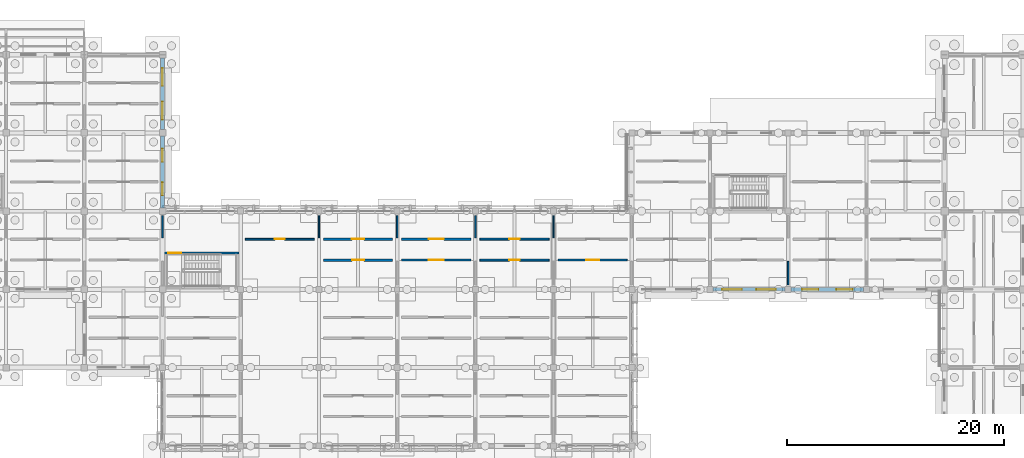
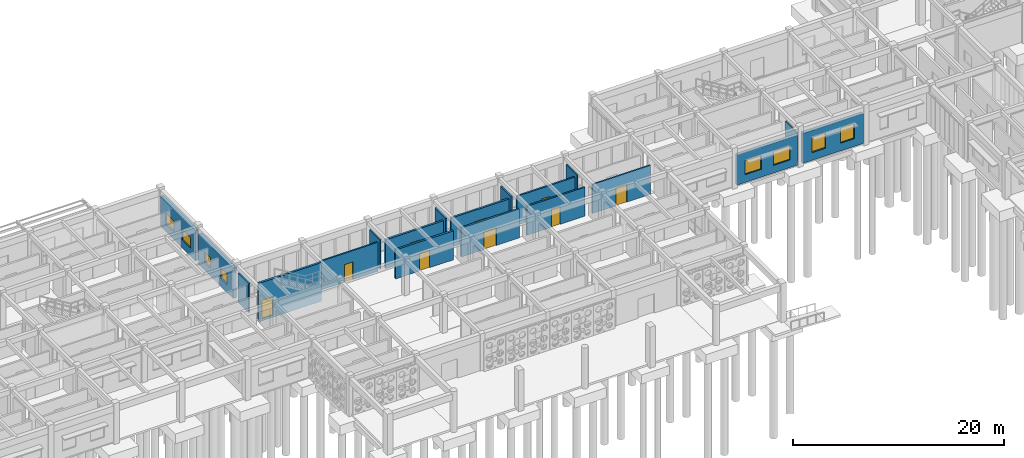
# One storey, part 74 of 111: 19 walls, 9 doors, 8 windows, 17 openings.
"""IFC4 building model written with IfcOpenShell, lengths in metres."""

from ifc_helpers import new_model, si_unit, direction, frame, frame_2d, origin, place, context, subcontext, project, spatial, rectangle, extrude, material, layer, layer_set, type_object, element, fill, save


model = new_model("IFC4")

# Units and contexts
model_context = context("Model", 3, precision=1e-05, world=origin(), true_north=direction((0.0, 1.0)))
body_context = subcontext(model_context, "Body", "Model", "MODEL_VIEW")
ifc_project = project(units=[si_unit("LENGTHUNIT", "METRE"), si_unit("AREAUNIT", "SQUARE_METRE"), si_unit("VOLUMEUNIT", "CUBIC_METRE"), si_unit("PLANEANGLEUNIT", "RADIAN"), si_unit("MASSUNIT", "GRAM", prefix="KILO")], contexts=[model_context])

# Site, building, storey
site_placement = place(None, origin())
site = spatial("IfcSite", under=ifc_project, at=site_placement, CompositionType="ELEMENT")
building_placement = place(site_placement, origin())
building = spatial("IfcBuilding", under=site, at=building_placement, Name="Aldebral Square Health Centre", CompositionType="ELEMENT")
storey_placement = place(building_placement, origin())
storey = spatial("IfcBuildingStorey", under=building, at=storey_placement, Name="L00", CompositionType="ELEMENT", Elevation=0.0)

# Wall, openings, windows
ifc_material_1 = material(Name="Cream cantera stone and concrete wall C35/45", Category="masonry")
ifc_layer_1 = layer(ifc_material_1, 0.340087890625, Name="Cream cantera stone and concrete wall C35/45", Category="masonry")
ifc_layer_set_1 = layer_set([ifc_layer_1], Name="Cream cantera stone and concrete wall C35/45")
wall_type_1 = type_object("IfcWallType", Name="EW-CAN-340", PredefinedType="SOLIDWALL", material=ifc_layer_set_1)
wall_1_placement = place(storey_placement, frame((64.800048828125, 108.300048828125, 0.0), z_axis=(0.0, 0.0, 1.0), x_axis=(0.0, 1.0, 0.0)))
wall_1 = element("IfcWall", 1, at=wall_1_placement, inside=storey, type_object=wall_type_1, Name="L00 V2 exterior wall L00-V2-08-15-E", PredefinedType="SOLIDWALL", context=body_context, shape_type="SweptSolid", body=[
    extrude(rectangle(XDim=6.599853515625, YDim=0.340087890625, at=frame_2d((3.2998046875, 0.0))), origin(), (0.0, 0.0, 1.0), 3.52001953125),
])
opening_1_placement = place(wall_1_placement, frame((0.925048828125, 0.0, 0.89990234375)))
opening_1 = element("IfcOpeningElement", 2, at=opening_1_placement, cuts=wall_1, Name="Opening W06", PredefinedType="OPENING", context=body_context, shape_type="SweptSolid", body=[
    extrude(rectangle(XDim=1.64990234375, YDim=1.25, at=frame_2d((0.824951171875, 0.625))), frame((0.0, 0.18017578125, 0.0), z_axis=(0.0, -1.0, 0.0), x_axis=(1.0, 0.0, 0.0)), (0.0, 0.0, 1.0), 0.360107421875),
])
opening_2_placement = place(wall_1_placement, frame((4.02490234375, 0.0, 0.89990234375)))
opening_2 = element("IfcOpeningElement", 3, at=opening_2_placement, cuts=wall_1, Name="Opening W06", PredefinedType="OPENING", context=body_context, shape_type="SweptSolid", body=[
    extrude(rectangle(XDim=1.64990234375, YDim=1.25, at=frame_2d((0.824951171875, 0.625))), frame((0.0, 0.18017578125, 0.0), z_axis=(0.0, -1.0, 0.0), x_axis=(1.0, 0.0, 0.0)), (0.0, 0.0, 1.0), 0.360107421875),
])
ifc_material_2 = material(Name="Thermally broken aluminium and low-E glass", Category="aluminium")
window_type_1 = type_object("IfcWindowType", Name="WIN-W06", PartitioningType="SINGLE_PANEL", PredefinedType="WINDOW", material=ifc_material_2)
window_1_placement = place(opening_1_placement, origin())
window_1 = element("IfcWindow", 4, at=window_1_placement, inside=storey, type_object=window_type_1, Name="L00 clinical window L00-V2-08-15-E.1", OverallHeight=1.25, OverallWidth=1.64990234375, PartitioningType="SINGLE_PANEL", PredefinedType="WINDOW", context=body_context, shape_type="SweptSolid", body=[
    extrude(rectangle(XDim=1.64990234375, YDim=1.25, at=frame_2d((0.824951171875, 0.625))), frame((0.0, 0.030029296875, 0.0), z_axis=(0.0, -1.0, 0.0), x_axis=(1.0, 0.0, 0.0)), (0.0, 0.0, 1.0), 0.06005859375),
])
fill(opening_1, window_1)
window_2_placement = place(opening_2_placement, origin())
window_2 = element("IfcWindow", 5, at=window_2_placement, inside=storey, type_object=window_type_1, Name="L00 clinical window L00-V2-08-15-E.2", OverallHeight=1.25, OverallWidth=1.64990234375, PartitioningType="SINGLE_PANEL", PredefinedType="WINDOW", context=body_context, shape_type="SweptSolid", body=[
    extrude(rectangle(XDim=1.64990234375, YDim=1.25, at=frame_2d((0.824951171875, 0.625))), frame((0.0, 0.030029296875, 0.0), z_axis=(0.0, -1.0, 0.0), x_axis=(1.0, 0.0, 0.0)), (0.0, 0.0, 1.0), 0.06005859375),
])
fill(opening_2, window_2)

wall_2_placement = place(storey_placement, frame((115.47509765625, 93.60009765625, 0.0), z_axis=(0.0, 0.0, 1.0), x_axis=(1.0, 0.0, 0.0)))
wall_2 = element("IfcWall", 6, at=wall_2_placement, inside=storey, type_object=wall_type_1, Name="L00 V5 exterior wall L00-V5-16-13-S", PredefinedType="SOLIDWALL", context=body_context, shape_type="SweptSolid", body=[
    extrude(rectangle(XDim=6.64990234375, YDim=0.340087890625, at=frame_2d((3.324951171875, 0.0))), origin(), (0.0, 0.0, 1.0), 3.469970703125),
])
opening_3_placement = place(wall_2_placement, frame((0.85009765625, 0.0, 0.89990234375)))
opening_3 = element("IfcOpeningElement", 7, at=opening_3_placement, cuts=wall_2, Name="Opening W34", PredefinedType="OPENING", context=body_context, shape_type="SweptSolid", body=[
    extrude(rectangle(XDim=1.800048828125, YDim=1.6201171875, at=frame_2d((0.89990234375, 0.81005859375))), frame((0.0, 0.18017578125, 0.0), z_axis=(0.0, -1.0, 0.0), x_axis=(1.0, 0.0, 0.0)), (0.0, 0.0, 1.0), 0.360107421875),
])
opening_4_placement = place(wall_2_placement, frame((4.0, 0.0, 0.89990234375)))
opening_4 = element("IfcOpeningElement", 8, at=opening_4_placement, cuts=wall_2, Name="Opening W34", PredefinedType="OPENING", context=body_context, shape_type="SweptSolid", body=[
    extrude(rectangle(XDim=1.800048828125, YDim=1.6201171875, at=frame_2d((0.89990234375, 0.81005859375))), frame((0.0, 0.18017578125, 0.0), z_axis=(0.0, -1.0, 0.0), x_axis=(1.0, 0.0, 0.0)), (0.0, 0.0, 1.0), 0.360107421875),
])
window_type_2 = type_object("IfcWindowType", Name="WIN-W34", PartitioningType="SINGLE_PANEL", PredefinedType="WINDOW", material=ifc_material_2)
window_3_placement = place(opening_3_placement, origin())
window_3 = element("IfcWindow", 9, at=window_3_placement, inside=storey, type_object=window_type_2, Name="L00 clinical window L00-V5-16-13-S.1", OverallHeight=1.6201171875, OverallWidth=1.800048828125, PartitioningType="SINGLE_PANEL", PredefinedType="WINDOW", context=body_context, shape_type="SweptSolid", body=[
    extrude(rectangle(XDim=1.800048828125, YDim=1.6201171875, at=frame_2d((0.89990234375, 0.81005859375))), frame((0.0, 0.030029296875, 0.0), z_axis=(0.0, -1.0, 0.0), x_axis=(1.0, 0.0, 0.0)), (0.0, 0.0, 1.0), 0.06005859375),
])
fill(opening_3, window_3)
window_4_placement = place(opening_4_placement, origin())
window_4 = element("IfcWindow", 10, at=window_4_placement, inside=storey, type_object=window_type_2, Name="L00 clinical window L00-V5-16-13-S.2", OverallHeight=1.6201171875, OverallWidth=1.800048828125, PartitioningType="SINGLE_PANEL", PredefinedType="WINDOW", context=body_context, shape_type="SweptSolid", body=[
    extrude(rectangle(XDim=1.800048828125, YDim=1.6201171875, at=frame_2d((0.89990234375, 0.81005859375))), frame((0.0, 0.030029296875, 0.0), z_axis=(0.0, -1.0, 0.0), x_axis=(1.0, 0.0, 0.0)), (0.0, 0.0, 1.0), 0.06005859375),
])
fill(opening_4, window_4)

ifc_layer_2 = layer(ifc_material_1, 0.360107421875, Name="Cream cantera stone and concrete wall C35/45", Category="masonry")
ifc_layer_set_2 = layer_set([ifc_layer_2], Name="Cream cantera stone and concrete wall C35/45")
wall_type_2 = type_object("IfcWallType", Name="EW-CAN-360", PredefinedType="SOLIDWALL", material=ifc_layer_set_2)
wall_3_placement = place(storey_placement, frame((64.800048828125, 101.10009765625, 0.0), z_axis=(0.0, 0.0, 1.0), x_axis=(0.0, 1.0, 0.0)))
wall_3 = element("IfcWall", 11, at=wall_3_placement, inside=storey, type_object=wall_type_2, Name="L00 V2 exterior wall L00-V2-08-14-E", PredefinedType="SOLIDWALL", context=body_context, shape_type="SweptSolid", body=[
    extrude(rectangle(XDim=6.599853515625, YDim=0.360107421875, at=frame_2d((3.2998046875, 0.0))), origin(), (0.0, 0.0, 1.0), 3.52001953125),
])
opening_5_placement = place(wall_3_placement, frame((1.14990234375, 0.0, 0.89990234375)))
opening_5 = element("IfcOpeningElement", 12, at=opening_5_placement, cuts=wall_3, Name="Opening W03", PredefinedType="OPENING", context=body_context, shape_type="SweptSolid", body=[
    extrude(rectangle(XDim=1.199951171875, YDim=1.25, at=frame_2d((0.60009765625, 0.625))), frame((0.0, 0.18994140625, 0.0), z_axis=(0.0, -1.0, 0.0), x_axis=(1.0, 0.0, 0.0)), (0.0, 0.0, 1.0), 0.380126953125),
])
opening_6_placement = place(wall_3_placement, frame((4.25, 0.0, 0.89990234375)))
opening_6 = element("IfcOpeningElement", 13, at=opening_6_placement, cuts=wall_3, Name="Opening W03", PredefinedType="OPENING", context=body_context, shape_type="SweptSolid", body=[
    extrude(rectangle(XDim=1.199951171875, YDim=1.25, at=frame_2d((0.60009765625, 0.625))), frame((0.0, 0.18994140625, 0.0), z_axis=(0.0, -1.0, 0.0), x_axis=(1.0, 0.0, 0.0)), (0.0, 0.0, 1.0), 0.380126953125),
])
window_type_3 = type_object("IfcWindowType", Name="WIN-W03", PartitioningType="SINGLE_PANEL", PredefinedType="WINDOW", material=ifc_material_2)
window_5_placement = place(opening_5_placement, origin())
window_5 = element("IfcWindow", 14, at=window_5_placement, inside=storey, type_object=window_type_3, Name="L00 clinical window L00-V2-08-14-E.1", OverallHeight=1.25, OverallWidth=1.199951171875, PartitioningType="SINGLE_PANEL", PredefinedType="WINDOW", context=body_context, shape_type="SweptSolid", body=[
    extrude(rectangle(XDim=1.199951171875, YDim=1.25, at=frame_2d((0.60009765625, 0.625))), frame((0.0, 0.030029296875, 0.0), z_axis=(0.0, -1.0, 0.0), x_axis=(1.0, 0.0, 0.0)), (0.0, 0.0, 1.0), 0.06005859375),
])
fill(opening_5, window_5)
window_6_placement = place(opening_6_placement, origin())
window_6 = element("IfcWindow", 15, at=window_6_placement, inside=storey, type_object=window_type_3, Name="L00 clinical window L00-V2-08-14-E.2", OverallHeight=1.25, OverallWidth=1.199951171875, PartitioningType="SINGLE_PANEL", PredefinedType="WINDOW", context=body_context, shape_type="SweptSolid", body=[
    extrude(rectangle(XDim=1.199951171875, YDim=1.25, at=frame_2d((0.60009765625, 0.625))), frame((0.0, 0.030029296875, 0.0), z_axis=(0.0, -1.0, 0.0), x_axis=(1.0, 0.0, 0.0)), (0.0, 0.0, 1.0), 0.06005859375),
])
fill(opening_6, window_6)

wall_4_placement = place(storey_placement, frame((122.675048828125, 93.60009765625, 0.0), z_axis=(0.0, 0.0, 1.0), x_axis=(1.0, 0.0, 0.0)))
wall_4 = element("IfcWall", 16, at=wall_4_placement, inside=storey, type_object=wall_type_2, Name="L00 V5 exterior wall L00-V5-17-13-S", PredefinedType="SOLIDWALL", context=body_context, shape_type="SweptSolid", body=[
    extrude(rectangle(XDim=6.64990234375, YDim=0.360107421875, at=frame_2d((3.324951171875, 0.0))), origin(), (0.0, 0.0, 1.0), 3.469970703125),
])
opening_7_placement = place(wall_4_placement, frame((1.0, 0.0, 0.89990234375)))
opening_7 = element("IfcOpeningElement", 17, at=opening_7_placement, cuts=wall_4, Name="Opening W41", PredefinedType="OPENING", context=body_context, shape_type="SweptSolid", body=[
    extrude(rectangle(XDim=1.5, YDim=1.75, at=frame_2d((0.75, 0.875))), frame((0.0, 0.18994140625, 0.0), z_axis=(0.0, -1.0, 0.0), x_axis=(1.0, 0.0, 0.0)), (0.0, 0.0, 1.0), 0.380126953125),
])
opening_8_placement = place(wall_4_placement, frame((4.14990234375, 0.0, 0.89990234375)))
opening_8 = element("IfcOpeningElement", 18, at=opening_8_placement, cuts=wall_4, Name="Opening W41", PredefinedType="OPENING", context=body_context, shape_type="SweptSolid", body=[
    extrude(rectangle(XDim=1.5, YDim=1.75, at=frame_2d((0.75, 0.875))), frame((0.0, 0.18994140625, 0.0), z_axis=(0.0, -1.0, 0.0), x_axis=(1.0, 0.0, 0.0)), (0.0, 0.0, 1.0), 0.380126953125),
])
window_type_4 = type_object("IfcWindowType", Name="WIN-W41", PartitioningType="SINGLE_PANEL", PredefinedType="WINDOW", material=ifc_material_2)
window_7_placement = place(opening_7_placement, origin())
window_7 = element("IfcWindow", 19, at=window_7_placement, inside=storey, type_object=window_type_4, Name="L00 clinical window L00-V5-17-13-S.1", OverallHeight=1.75, OverallWidth=1.5, PartitioningType="SINGLE_PANEL", PredefinedType="WINDOW", context=body_context, shape_type="SweptSolid", body=[
    extrude(rectangle(XDim=1.5, YDim=1.75, at=frame_2d((0.75, 0.875))), frame((0.0, 0.030029296875, 0.0), z_axis=(0.0, -1.0, 0.0), x_axis=(1.0, 0.0, 0.0)), (0.0, 0.0, 1.0), 0.06005859375),
])
fill(opening_7, window_7)
window_8_placement = place(opening_8_placement, origin())
window_8 = element("IfcWindow", 20, at=window_8_placement, inside=storey, type_object=window_type_4, Name="L00 clinical window L00-V5-17-13-S.2", OverallHeight=1.75, OverallWidth=1.5, PartitioningType="SINGLE_PANEL", PredefinedType="WINDOW", context=body_context, shape_type="SweptSolid", body=[
    extrude(rectangle(XDim=1.5, YDim=1.75, at=frame_2d((0.75, 0.875))), frame((0.0, 0.030029296875, 0.0), z_axis=(0.0, -1.0, 0.0), x_axis=(1.0, 0.0, 0.0)), (0.0, 0.0, 1.0), 0.06005859375),
])
fill(opening_8, window_8)

# Wall, opening, door
ifc_material_3 = material(Name="Concrete C35/45 compartment wall", Category="concrete")
ifc_layer_3 = layer(ifc_material_3, 0.199951171875, Name="Concrete C35/45 compartment wall", Category="concrete")
ifc_layer_set_3 = layer_set([ifc_layer_3], Name="Concrete C35/45 compartment wall")
wall_type_3 = type_object("IfcWallType", Name="IW-CMP-200", PredefinedType="SOLIDWALL", material=ifc_layer_set_3)
wall_5_placement = place(storey_placement, frame((86.820068359375, 96.300048828125, 0.0), z_axis=(0.0, 0.0, 1.0), x_axis=(1.0, 0.0, 0.0)))
wall_5 = element("IfcWall", 21, at=wall_5_placement, inside=storey, type_object=wall_type_3, Name="L00 Health Shop 13.14S corridor wall", PredefinedType="SOLIDWALL", context=body_context, shape_type="SweptSolid", body=[
    extrude(rectangle(XDim=6.35986328125, YDim=0.199951171875, at=frame_2d((3.179931640625, 0.0))), origin(), (0.0, 0.0, 1.0), 3.360107421875),
])
opening_9_placement = place(wall_5_placement, frame((2.510009765625, 0.0, 0.0)))
opening_9 = element("IfcOpeningElement", 22, at=opening_9_placement, cuts=wall_5, Name="Opening D-FD60-16", PredefinedType="OPENING", context=body_context, shape_type="SweptSolid", body=[
    extrude(rectangle(XDim=1.340087890625, YDim=2.0400390625, at=frame_2d((0.669921875, 1.02001953125))), frame((0.0, 0.10986328125, 0.0), z_axis=(0.0, -1.0, 0.0), x_axis=(1.0, 0.0, 0.0)), (0.0, 0.0, 1.0), 0.219970703125),
])
ifc_material_4 = material(Name="Clinical suite fire door")
door_type_1 = type_object("IfcDoorType", Name="ID-EXD-11", OperationType="NOTDEFINED", PredefinedType="DOOR", material=ifc_material_4)
door_1_placement = place(opening_9_placement, origin())
door_1 = element("IfcDoor", 23, at=door_1_placement, inside=storey, type_object=door_type_1, Name="L00 Health Shop 13.14S door", OperationType="SINGLE_SWING_LEFT", OverallHeight=2.0400390625, OverallWidth=1.340087890625, PredefinedType="DOOR", context=body_context, shape_type="SweptSolid", body=[
    extrude(rectangle(XDim=1.340087890625, YDim=2.0400390625, at=frame_2d((0.669921875, 1.02001953125))), frame((0.0, 0.02490234375, 0.0), z_axis=(0.0, -1.0, 0.0), x_axis=(1.0, 0.0, 0.0)), (0.0, 0.0, 1.0), 0.050048828125),
])
fill(opening_9, door_1)

ifc_layer_4 = layer(ifc_material_3, 0.219970703125, Name="Concrete C35/45 compartment wall", Category="concrete")
ifc_layer_set_4 = layer_set([ifc_layer_4], Name="Concrete C35/45 compartment wall")
wall_type_4 = type_object("IfcWallType", Name="IW-CMP-220", PredefinedType="SOLIDWALL", material=ifc_layer_set_4)
wall_6_placement = place(storey_placement, frame((79.6201171875, 96.300048828125, 0.0), z_axis=(0.0, 0.0, 1.0), x_axis=(1.0, 0.0, 0.0)))
wall_6 = element("IfcWall", 24, at=wall_6_placement, inside=storey, type_object=wall_type_4, Name="L00 Waiting Hall 12.14S corridor wall", PredefinedType="SOLIDWALL", context=body_context, shape_type="SweptSolid", body=[
    extrude(rectangle(XDim=6.35986328125, YDim=0.219970703125, at=frame_2d((3.179931640625, 0.0))), origin(), (0.0, 0.0, 1.0), 3.360107421875),
])
opening_10_placement = place(wall_6_placement, frame((2.6298828125, 0.0, 0.0)))
opening_10 = element("IfcOpeningElement", 25, at=opening_10_placement, cuts=wall_6, Name="Opening D-FD60-10", PredefinedType="OPENING", context=body_context, shape_type="SweptSolid", body=[
    extrude(rectangle(XDim=1.10009765625, YDim=2.0400390625, at=frame_2d((0.550048828125, 1.02001953125))), frame((0.0, 0.1201171875, 0.0), z_axis=(0.0, -1.0, 0.0), x_axis=(1.0, 0.0, 0.0)), (0.0, 0.0, 1.0), 0.239990234375),
])
door_type_2 = type_object("IfcDoorType", Name="ID-EXD-05", OperationType="NOTDEFINED", PredefinedType="DOOR", material=ifc_material_4)
door_2_placement = place(opening_10_placement, origin())
door_2 = element("IfcDoor", 26, at=door_2_placement, inside=storey, type_object=door_type_2, Name="L00 Waiting Hall 12.14S door", OperationType="SINGLE_SWING_LEFT", OverallHeight=2.0400390625, OverallWidth=1.10009765625, PredefinedType="DOOR", context=body_context, shape_type="SweptSolid", body=[
    extrude(rectangle(XDim=1.10009765625, YDim=2.0400390625, at=frame_2d((0.550048828125, 1.02001953125))), frame((0.0, 0.02490234375, 0.0), z_axis=(0.0, -1.0, 0.0), x_axis=(1.0, 0.0, 0.0)), (0.0, 0.0, 1.0), 0.050048828125),
])
fill(opening_10, door_2)

wall_7_placement = place(storey_placement, frame((79.6201171875, 98.219970703125, 0.0), z_axis=(0.0, 0.0, 1.0), x_axis=(1.0, 0.0, 0.0)))
wall_7 = element("IfcWall", 27, at=wall_7_placement, inside=storey, type_object=wall_type_4, Name="L00 Outpatient Registration 12.14N corridor wall", PredefinedType="SOLIDWALL", context=body_context, shape_type="SweptSolid", body=[
    extrude(rectangle(XDim=6.35986328125, YDim=0.219970703125, at=frame_2d((3.179931640625, 0.0))), origin(), (0.0, 0.0, 1.0), 3.360107421875),
])
opening_11_placement = place(wall_7_placement, frame((2.610107421875, 0.0, 0.0)))
opening_11 = element("IfcOpeningElement", 28, at=opening_11_placement, cuts=wall_7, Name="Opening D-FD60-11", PredefinedType="OPENING", context=body_context, shape_type="SweptSolid", body=[
    extrude(rectangle(XDim=1.139892578125, YDim=2.0400390625, at=frame_2d((0.56982421875, 1.02001953125))), frame((0.0, 0.1201171875, 0.0), z_axis=(0.0, -1.0, 0.0), x_axis=(1.0, 0.0, 0.0)), (0.0, 0.0, 1.0), 0.239990234375),
])
door_type_3 = type_object("IfcDoorType", Name="ID-EXD-06", OperationType="NOTDEFINED", PredefinedType="DOOR", material=ifc_material_4)
door_3_placement = place(opening_11_placement, origin())
door_3 = element("IfcDoor", 29, at=door_3_placement, inside=storey, type_object=door_type_3, Name="L00 Outpatient Registration 12.14N door", OperationType="SINGLE_SWING_RIGHT", OverallHeight=2.0400390625, OverallWidth=1.139892578125, PredefinedType="DOOR", context=body_context, shape_type="SweptSolid", body=[
    extrude(rectangle(XDim=1.139892578125, YDim=2.0400390625, at=frame_2d((0.56982421875, 1.02001953125))), frame((0.0, 0.02490234375, 0.0), z_axis=(0.0, -1.0, 0.0), x_axis=(1.0, 0.0, 0.0)), (0.0, 0.0, 1.0), 0.050048828125),
])
fill(opening_11, door_3)

ifc_material_5 = material(Name="Fire-rated acoustic gypsum partition")
ifc_layer_5 = layer(ifc_material_5, 0.1650390625, Name="Fire-rated acoustic gypsum partition")
ifc_layer_set_5 = layer_set([ifc_layer_5], Name="Fire-rated acoustic gypsum partition")
wall_type_5 = type_object("IfcWallType", Name="IW-COR-165", PredefinedType="PARTITIONING", material=ifc_layer_set_5)
wall_8_placement = place(storey_placement, frame((72.419921875, 98.219970703125, 0.0), z_axis=(0.0, 0.0, 1.0), x_axis=(1.0, 0.0, 0.0)))
wall_8 = element("IfcWall", 30, at=wall_8_placement, inside=storey, type_object=wall_type_5, Name="L00 Pharmacy Cold Chain Room 11.14N corridor wall", PredefinedType="PARTITIONING", context=body_context, shape_type="SweptSolid", body=[
    extrude(rectangle(XDim=6.360107421875, YDim=0.1650390625, at=frame_2d((3.18017578125, 0.0))), origin(), (0.0, 0.0, 1.0), 3.360107421875),
])
opening_12_placement = place(wall_8_placement, frame((2.72998046875, 0.0, 0.0)))
opening_12 = element("IfcOpeningElement", 31, at=opening_12_placement, cuts=wall_8, Name="Opening D-FD60-5", PredefinedType="OPENING", context=body_context, shape_type="SweptSolid", body=[
    extrude(rectangle(XDim=0.89990234375, YDim=2.0400390625, at=frame_2d((0.449951171875, 1.02001953125))), frame((0.0, 0.092529296875, 0.0), z_axis=(0.0, -1.0, 0.0), x_axis=(1.0, 0.0, 0.0)), (0.0, 0.0, 1.0), 0.18505859375),
])
door_type_4 = type_object("IfcDoorType", Name="ID-EXD-00", OperationType="NOTDEFINED", PredefinedType="DOOR", material=ifc_material_4)
door_4_placement = place(opening_12_placement, origin())
door_4 = element("IfcDoor", 32, at=door_4_placement, inside=storey, type_object=door_type_4, Name="L00 Pharmacy Cold Chain Room 11.14N door", OperationType="SINGLE_SWING_RIGHT", OverallHeight=2.0400390625, OverallWidth=0.89990234375, PredefinedType="DOOR", context=body_context, shape_type="SweptSolid", body=[
    extrude(rectangle(XDim=0.89990234375, YDim=2.0400390625, at=frame_2d((0.449951171875, 1.02001953125))), frame((0.0, 0.02490234375, 0.0), z_axis=(0.0, -1.0, 0.0), x_axis=(1.0, 0.0, 0.0)), (0.0, 0.0, 1.0), 0.050048828125),
])
fill(opening_12, door_4)

wall_9_placement = place(storey_placement, frame((101.219970703125, 96.300048828125, 0.0), z_axis=(0.0, 0.0, 1.0), x_axis=(1.0, 0.0, 0.0)))
wall_9 = element("IfcWall", 33, at=wall_9_placement, inside=storey, type_object=wall_type_5, Name="L00 Waiting Hall 15.14S corridor wall", PredefinedType="PARTITIONING", context=body_context, shape_type="SweptSolid", body=[
    extrude(rectangle(XDim=6.360107421875, YDim=0.1650390625, at=frame_2d((3.18017578125, 0.0))), origin(), (0.0, 0.0, 1.0), 3.360107421875),
])
opening_13_placement = place(wall_9_placement, frame((2.590087890625, 0.0, 0.0)))
opening_13 = element("IfcOpeningElement", 34, at=opening_13_placement, cuts=wall_9, Name="Opening D-FD60-28", PredefinedType="OPENING", context=body_context, shape_type="SweptSolid", body=[
    extrude(rectangle(XDim=1.179931640625, YDim=2.090087890625, at=frame_2d((0.58984375, 1.044921875))), frame((0.0, 0.092529296875, 0.0), z_axis=(0.0, -1.0, 0.0), x_axis=(1.0, 0.0, 0.0)), (0.0, 0.0, 1.0), 0.18505859375),
])
door_type_5 = type_object("IfcDoorType", Name="ID-EXD-23", OperationType="NOTDEFINED", PredefinedType="DOOR", material=ifc_material_4)
door_5_placement = place(opening_13_placement, origin())
door_5 = element("IfcDoor", 35, at=door_5_placement, inside=storey, type_object=door_type_5, Name="L00 Waiting Hall 15.14S door", OperationType="SINGLE_SWING_LEFT", OverallHeight=2.090087890625, OverallWidth=1.179931640625, PredefinedType="DOOR", context=body_context, shape_type="SweptSolid", body=[
    extrude(rectangle(XDim=1.179931640625, YDim=2.090087890625, at=frame_2d((0.58984375, 1.044921875))), frame((0.0, 0.02490234375, 0.0), z_axis=(0.0, -1.0, 0.0), x_axis=(1.0, 0.0, 0.0)), (0.0, 0.0, 1.0), 0.050048828125),
])
fill(opening_13, door_5)

ifc_layer_6 = layer(ifc_material_5, 0.179931640625, Name="Fire-rated acoustic gypsum partition")
ifc_layer_set_6 = layer_set([ifc_layer_6], Name="Fire-rated acoustic gypsum partition")
wall_type_6 = type_object("IfcWallType", Name="IW-COR-180", PredefinedType="PARTITIONING", material=ifc_layer_set_6)
wall_10_placement = place(storey_placement, frame((94.02001953125, 96.300048828125, 0.0), z_axis=(0.0, 0.0, 1.0), x_axis=(1.0, 0.0, 0.0)))
wall_10 = element("IfcWall", 36, at=wall_10_placement, inside=storey, type_object=wall_type_6, Name="L00 Pharmacy Controlled Store 14.14S corridor wall", PredefinedType="PARTITIONING", context=body_context, shape_type="SweptSolid", body=[
    extrude(rectangle(XDim=6.35986328125, YDim=0.179931640625, at=frame_2d((3.179931640625, 0.0))), origin(), (0.0, 0.0, 1.0), 3.360107421875),
])
opening_14_placement = place(wall_10_placement, frame((2.7099609375, 0.0, 0.0)))
opening_14 = element("IfcOpeningElement", 37, at=opening_14_placement, cuts=wall_10, Name="Opening D-FD60-22", PredefinedType="OPENING", context=body_context, shape_type="SweptSolid", body=[
    extrude(rectangle(XDim=0.93994140625, YDim=2.090087890625, at=frame_2d((0.469970703125, 1.044921875))), frame((0.0, 0.10009765625, 0.0), z_axis=(0.0, -1.0, 0.0), x_axis=(1.0, 0.0, 0.0)), (0.0, 0.0, 1.0), 0.199951171875),
])
door_type_6 = type_object("IfcDoorType", Name="ID-EXD-17", OperationType="NOTDEFINED", PredefinedType="DOOR", material=ifc_material_4)
door_6_placement = place(opening_14_placement, origin())
door_6 = element("IfcDoor", 38, at=door_6_placement, inside=storey, type_object=door_type_6, Name="L00 Pharmacy Controlled Store 14.14S door", OperationType="SINGLE_SWING_LEFT", OverallHeight=2.090087890625, OverallWidth=0.93994140625, PredefinedType="DOOR", context=body_context, shape_type="SweptSolid", body=[
    extrude(rectangle(XDim=0.93994140625, YDim=2.090087890625, at=frame_2d((0.469970703125, 1.044921875))), frame((0.0, 0.02490234375, 0.0), z_axis=(0.0, -1.0, 0.0), x_axis=(1.0, 0.0, 0.0)), (0.0, 0.0, 1.0), 0.050048828125),
])
fill(opening_14, door_6)

wall_11_placement = place(storey_placement, frame((94.02001953125, 98.219970703125, 0.0), z_axis=(0.0, 0.0, 1.0), x_axis=(1.0, 0.0, 0.0)))
wall_11 = element("IfcWall", 39, at=wall_11_placement, inside=storey, type_object=wall_type_6, Name="L00 Pharmacy Cold Chain Room 14.14N corridor wall", PredefinedType="PARTITIONING", context=body_context, shape_type="SweptSolid", body=[
    extrude(rectangle(XDim=6.35986328125, YDim=0.179931640625, at=frame_2d((3.179931640625, 0.0))), origin(), (0.0, 0.0, 1.0), 3.360107421875),
])
opening_15_placement = place(wall_11_placement, frame((2.68994140625, 0.0, 0.0)))
opening_15 = element("IfcOpeningElement", 40, at=opening_15_placement, cuts=wall_11, Name="Opening D-FD60-23", PredefinedType="OPENING", context=body_context, shape_type="SweptSolid", body=[
    extrude(rectangle(XDim=0.97998046875, YDim=2.090087890625, at=frame_2d((0.489990234375, 1.044921875))), frame((0.0, 0.10009765625, 0.0), z_axis=(0.0, -1.0, 0.0), x_axis=(1.0, 0.0, 0.0)), (0.0, 0.0, 1.0), 0.199951171875),
])
door_type_7 = type_object("IfcDoorType", Name="ID-EXD-18", OperationType="NOTDEFINED", PredefinedType="DOOR", material=ifc_material_4)
door_7_placement = place(opening_15_placement, origin())
door_7 = element("IfcDoor", 41, at=door_7_placement, inside=storey, type_object=door_type_7, Name="L00 Pharmacy Cold Chain Room 14.14N door", OperationType="SINGLE_SWING_RIGHT", OverallHeight=2.090087890625, OverallWidth=0.97998046875, PredefinedType="DOOR", context=body_context, shape_type="SweptSolid", body=[
    extrude(rectangle(XDim=0.97998046875, YDim=2.090087890625, at=frame_2d((0.489990234375, 1.044921875))), frame((0.0, 0.02490234375, 0.0), z_axis=(0.0, -1.0, 0.0), x_axis=(1.0, 0.0, 0.0)), (0.0, 0.0, 1.0), 0.050048828125),
])
fill(opening_15, door_7)

ifc_material_6 = material(Name="Concrete C40/50", Category="concrete")
ifc_layer_7 = layer(ifc_material_6, 0.219970703125, Name="Concrete C40/50", Category="concrete")
ifc_layer_set_7 = layer_set([ifc_layer_7], Name="Concrete C40/50")
wall_type_7 = type_object("IfcWallType", Name="IW-CORE-280", PredefinedType="SHEAR", material=ifc_layer_set_7)
wall_12_placement = place(storey_placement, frame((64.9599609375, 96.949951171875, -0.25), z_axis=(0.0, 0.0, 1.0), x_axis=(1.0, 0.0, 0.0)))
wall_12 = element("IfcWall", 42, at=wall_12_placement, inside=storey, type_object=wall_type_7, Name="L00 WS-S7 shaft wall N", PredefinedType="SHEAR", context=body_context, shape_type="SweptSolid", body=[
    extrude(rectangle(XDim=6.880126953125, YDim=0.219970703125, at=frame_2d((3.43994140625, 0.0))), origin(), (0.0, 0.0, 1.0), 4.469970703125),
])
opening_16_placement = place(wall_12_placement, frame((0.35009765625, 0.0, 0.25)))
opening_16 = element("IfcOpeningElement", 43, at=opening_16_placement, cuts=wall_12, Name="Opening D-0068", PredefinedType="OPENING", context=body_context, shape_type="SweptSolid", body=[
    extrude(rectangle(XDim=1.199951171875, YDim=2.14990234375, at=frame_2d((0.60009765625, 1.074951171875))), frame((0.0, 0.1201171875, 0.0), z_axis=(0.0, -1.0, 0.0), x_axis=(1.0, 0.0, 0.0)), (0.0, 0.0, 1.0), 0.239990234375),
])
ifc_material_7 = material(Name="Fire-rated steel stair door", Category="steel")
door_type_8 = type_object("IfcDoorType", Name="ID-ST-120", OperationType="NOTDEFINED", PredefinedType="DOOR", material=ifc_material_7)
door_8_placement = place(opening_16_placement, origin())
door_8 = element("IfcDoor", 44, at=door_8_placement, inside=storey, type_object=door_type_8, Name="L00 ST-07 fire door", OperationType="SINGLE_SWING_RIGHT", OverallHeight=2.14990234375, OverallWidth=1.199951171875, PredefinedType="DOOR", context=body_context, shape_type="SweptSolid", body=[
    extrude(rectangle(XDim=1.199951171875, YDim=2.14990234375, at=frame_2d((0.60009765625, 1.074951171875))), frame((0.0, 0.02490234375, 0.0), z_axis=(0.0, -1.0, 0.0), x_axis=(1.0, 0.0, 0.0)), (0.0, 0.0, 1.0), 0.050048828125),
])
fill(opening_16, door_8)

ifc_material_8 = material(Name="Moisture-resistant sanitary chase wall")
ifc_layer_8 = layer(ifc_material_8, 0.2099609375, Name="Moisture-resistant sanitary chase wall")
ifc_layer_set_8 = layer_set([ifc_layer_8], Name="Moisture-resistant sanitary chase wall")
wall_type_8 = type_object("IfcWallType", Name="IW-PLB-210", PredefinedType="PLUMBINGWALL", material=ifc_layer_set_8)
wall_13_placement = place(storey_placement, frame((86.820068359375, 98.219970703125, 0.0), z_axis=(0.0, 0.0, 1.0), x_axis=(1.0, 0.0, 0.0)))
wall_13 = element("IfcWall", 45, at=wall_13_placement, inside=storey, type_object=wall_type_8, Name="L00 Accessible WC 13.14N corridor wall", PredefinedType="PLUMBINGWALL", context=body_context, shape_type="SweptSolid", body=[
    extrude(rectangle(XDim=6.35986328125, YDim=0.2099609375, at=frame_2d((3.179931640625, 0.0))), origin(), (0.0, 0.0, 1.0), 3.360107421875),
])
opening_17_placement = place(wall_13_placement, frame((2.489990234375, 0.0, 0.0)))
opening_17 = element("IfcOpeningElement", 46, at=opening_17_placement, cuts=wall_13, Name="Opening D-FD60-17", PredefinedType="OPENING", context=body_context, shape_type="SweptSolid", body=[
    extrude(rectangle(XDim=1.3798828125, YDim=2.0400390625, at=frame_2d((0.68994140625, 1.02001953125))), frame((0.0, 0.114990234375, 0.0), z_axis=(0.0, -1.0, 0.0), x_axis=(1.0, 0.0, 0.0)), (0.0, 0.0, 1.0), 0.22998046875),
])
door_type_9 = type_object("IfcDoorType", Name="ID-EXD-12", OperationType="NOTDEFINED", PredefinedType="DOOR", material=ifc_material_4)
door_9_placement = place(opening_17_placement, origin())
door_9 = element("IfcDoor", 47, at=door_9_placement, inside=storey, type_object=door_type_9, Name="L00 Accessible WC 13.14N door", OperationType="SINGLE_SWING_RIGHT", OverallHeight=2.0400390625, OverallWidth=1.3798828125, PredefinedType="DOOR", context=body_context, shape_type="SweptSolid", body=[
    extrude(rectangle(XDim=1.3798828125, YDim=2.0400390625, at=frame_2d((0.68994140625, 1.02001953125))), frame((0.0, 0.02490234375, 0.0), z_axis=(0.0, -1.0, 0.0), x_axis=(1.0, 0.0, 0.0)), (0.0, 0.0, 1.0), 0.050048828125),
])
fill(opening_17, door_9)

# Walls
ifc_material_9 = material(Name="Lightweight clinical partition")
ifc_layer_9 = layer(ifc_material_9, 0.10498046875, Name="Lightweight clinical partition")
ifc_layer_set_9 = layer_set([ifc_layer_9], Name="Lightweight clinical partition")
wall_type_9 = type_object("IfcWallType", Name="IW-PRT-105", PredefinedType="PARTITIONING", material=ifc_layer_set_9)
wall_14_placement = place(storey_placement, frame((79.199951171875, 98.340087890625, 0.0), z_axis=(0.0, 0.0, 1.0), x_axis=(0.0, 1.0, 0.0)))
element("IfcWall", 48, at=wall_14_placement, inside=storey, type_object=wall_type_9, Name="L00 Pharmacy Cold Chain Room 11.14N demising partition", PredefinedType="PARTITIONING", context=body_context, shape_type="SweptSolid", body=[
    extrude(rectangle(XDim=2.039794921875, YDim=0.10498046875, at=frame_2d((1.02001953125, 0.0))), origin(), (0.0, 0.0, 1.0), 3.360107421875),
])
ifc_material_10 = material(Name="Acoustic clinical gypsum partition")
ifc_layer_10 = layer(ifc_material_10, 0.1201171875, Name="Acoustic clinical gypsum partition")
ifc_layer_set_10 = layer_set([ifc_layer_10], Name="Acoustic clinical gypsum partition")
wall_type_10 = type_object("IfcWallType", Name="IW-PRT-120", PredefinedType="PARTITIONING", material=ifc_layer_set_10)
wall_15_placement = place(storey_placement, frame((100.800048828125, 98.340087890625, 0.0), z_axis=(0.0, 0.0, 1.0), x_axis=(0.0, 1.0, 0.0)))
element("IfcWall", 49, at=wall_15_placement, inside=storey, type_object=wall_type_10, Name="L00 Pharmacy Cold Chain Room 14.14N demising partition", PredefinedType="PARTITIONING", context=body_context, shape_type="SweptSolid", body=[
    extrude(rectangle(XDim=2.039794921875, YDim=0.1201171875, at=frame_2d((1.02001953125, 0.0))), origin(), (0.0, 0.0, 1.0), 3.360107421875),
])
ifc_layer_11 = layer(ifc_material_10, 0.135009765625, Name="Acoustic clinical gypsum partition")
ifc_layer_set_11 = layer_set([ifc_layer_11], Name="Acoustic clinical gypsum partition")
wall_type_11 = type_object("IfcWallType", Name="IW-PRT-135", PredefinedType="PARTITIONING", material=ifc_layer_set_11)
for number, where, z_axis, x_axis, name in (
    (50, (93.60009765625, 98.340087890625, 0.0), (0.0, 0.0, 1.0), (0.0, 1.0, 0.0), "L00 Accessible WC 13.14N demising partition"),
    (51, (64.800048828125, 98.340087890625, 0.0), (0.0, 0.0, 1.0), (0.0, 1.0, 0.0), "L00 Accessible WC 9.14N demising partition"),
):
    element("IfcWall", number, at=place(storey_placement, frame(where, z_axis=z_axis, x_axis=x_axis)), inside=storey, type_object=wall_type_11, Name=name, PredefinedType="PARTITIONING", context=body_context, shape_type="SweptSolid", body=[
        extrude(rectangle(XDim=2.039794921875, YDim=0.135009765625, at=frame_2d((1.02001953125, 0.0))), origin(), (0.0, 0.0, 1.0), 3.360107421875),
    ])
wall_16_placement = place(storey_placement, frame((122.39990234375, 94.02001953125, 0.0), z_axis=(0.0, 0.0, 1.0), x_axis=(0.0, 1.0, 0.0)))
element("IfcWall", 52, at=wall_16_placement, inside=storey, type_object=wall_type_11, Name="L00 Medical Records Archive 17.14S demising partition", PredefinedType="PARTITIONING", context=body_context, shape_type="SweptSolid", body=[
    extrude(rectangle(XDim=2.159912109375, YDim=0.135009765625, at=frame_2d((1.080078125, 0.0))), origin(), (0.0, 0.0, 1.0), 3.360107421875),
])
ifc_layer_12 = layer(ifc_material_10, 0.14990234375, Name="Acoustic clinical gypsum partition")
ifc_layer_set_12 = layer_set([ifc_layer_12], Name="Acoustic clinical gypsum partition")
wall_type_12 = type_object("IfcWallType", Name="IW-PRT-150", PredefinedType="PARTITIONING", material=ifc_layer_set_12)
wall_17_placement = place(storey_placement, frame((86.39990234375, 98.340087890625, 0.0), z_axis=(0.0, 0.0, 1.0), x_axis=(0.0, 1.0, 0.0)))
element("IfcWall", 53, at=wall_17_placement, inside=storey, type_object=wall_type_12, Name="L00 Outpatient Registration 12.14N demising partition", PredefinedType="PARTITIONING", context=body_context, shape_type="SweptSolid", body=[
    extrude(rectangle(XDim=2.039794921875, YDim=0.14990234375, at=frame_2d((1.02001953125, 0.0))), origin(), (0.0, 0.0, 1.0), 3.360107421875),
])

save(model, "model.ifc")
